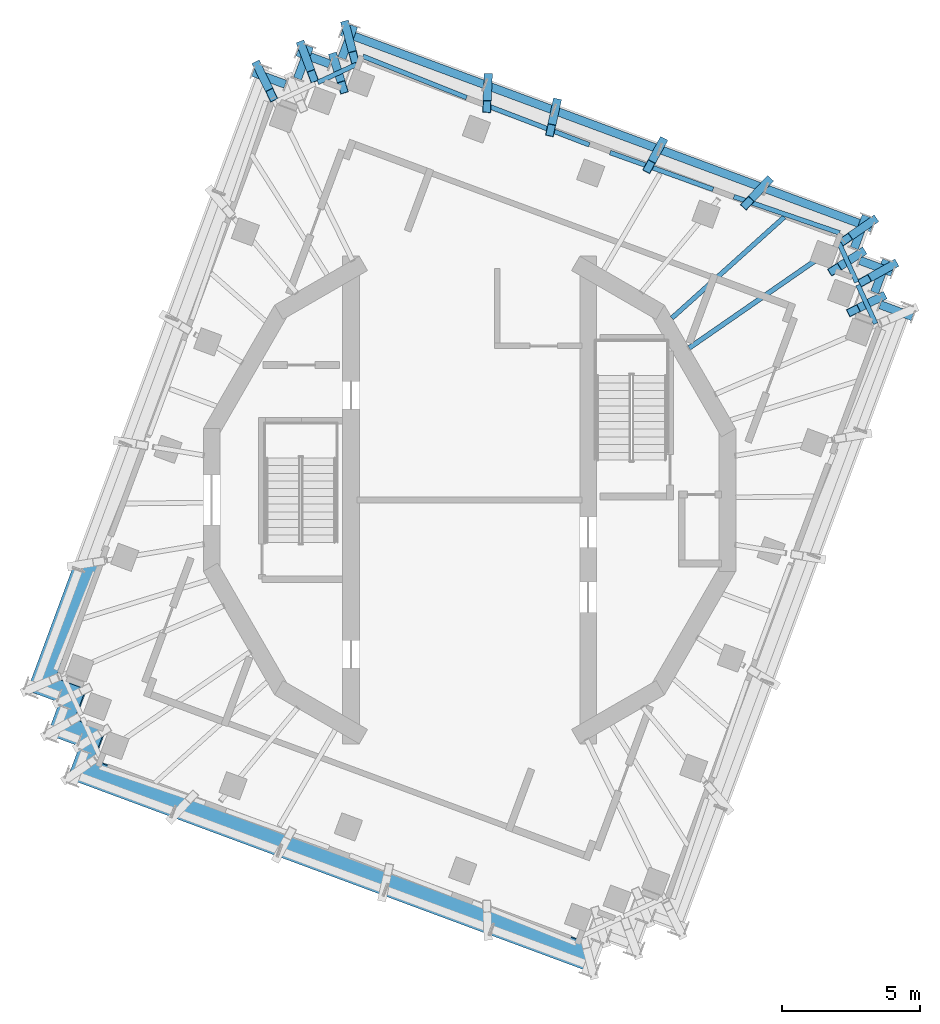
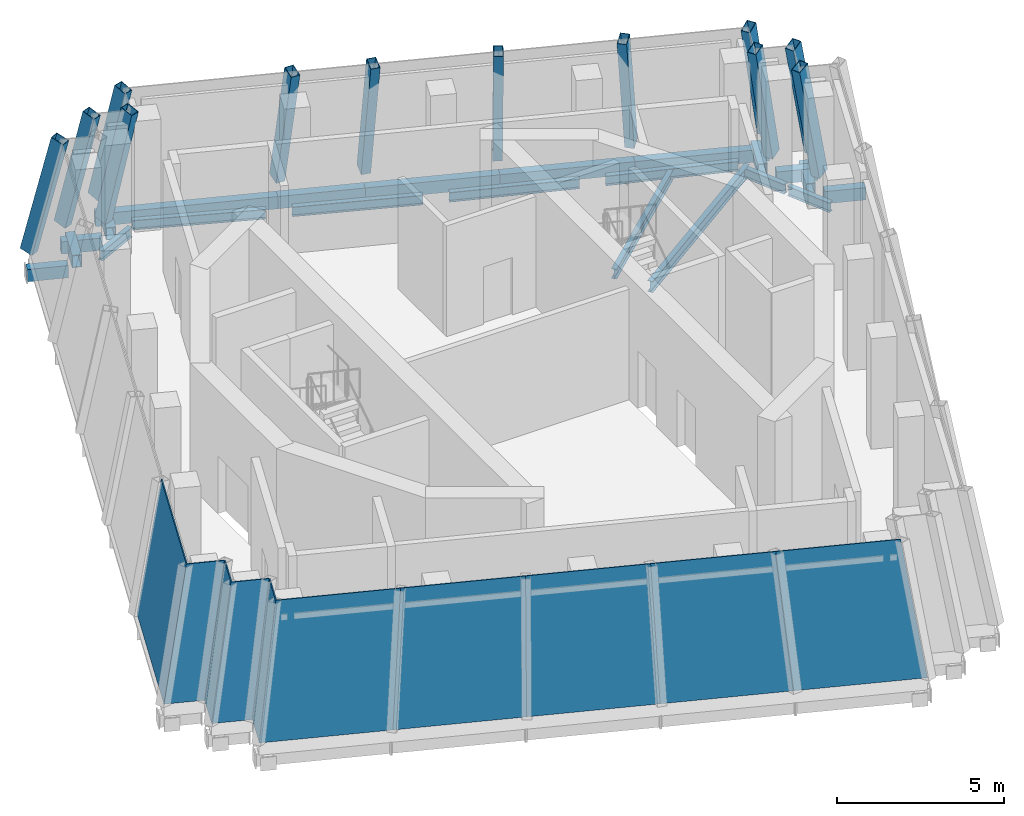
# One storey, part 3 of 12: 25 members, 10 plates, 9 beams, 24 elements without a shape of their own.
"""IFC4 building model written with IfcOpenShell, lengths in metres."""

from ifc_helpers import new_model, si_unit, direction, frame, origin, origin_2d, place, context, subcontext, project, spatial, polyline, hollow_rectangle, i_section, outline, extrude, material, layer, layer_set, material_profile, profile_set, type_object, element, aggregate, save


model = new_model("IFC4")

# Units and contexts
model_context = context("Model", 3, precision=1e-05, world=origin(), true_north=direction((0.0, 1.0)))
body_context = subcontext(model_context, "Body", "Model", "MODEL_VIEW")
ifc_project = project(units=[si_unit("LENGTHUNIT", "METRE"), si_unit("AREAUNIT", "SQUARE_METRE"), si_unit("VOLUMEUNIT", "CUBIC_METRE"), si_unit("PLANEANGLEUNIT", "RADIAN"), si_unit("MASSUNIT", "GRAM", prefix="KILO")], contexts=[model_context])

# Site, building, storey
site_placement = place(None, origin())
site = spatial("IfcSite", under=ifc_project, at=site_placement, CompositionType="ELEMENT")
building_placement = place(site_placement, origin())
building = spatial("IfcBuilding", under=site, at=building_placement, Name="Cantera Rosa Tower", CompositionType="ELEMENT")
storey_placement = place(building_placement, frame((0.0, 0.0, 360.699951171875)))
storey = spatial("IfcBuildingStorey", under=building, at=storey_placement, Name="L81", CompositionType="ELEMENT", Elevation=360.699951171875)

# Curtain wall, member
ifc_material_1 = material(Name="Aluminium frame with clear glass", Category="aluminium")
curtain_wall_type = type_object("IfcCurtainWallType", Name="CW4 CROWN GLAZING", PredefinedType="NOTDEFINED", material=ifc_material_1)
curtain_wall_1_placement = place(storey_placement, origin())
curtain_wall_1 = element("IfcCurtainWall", 1, at=curtain_wall_1_placement, inside=storey, type_object=curtain_wall_type, Name="CW4 L81-01", PredefinedType="NOTDEFINED")
ifc_material_2 = material(Name="Steel S355J2 (EN 10025-2)", Category="steel")
ifc_material_profile_1 = material_profile(ifc_material_2, hollow_rectangle(XDim=0.300048828125, YDim=0.449951171875, WallThickness=0.01611328125, at=origin_2d()), Name="CROWN FRAME MULLION RHS 300x450x16")
ifc_profile_set_1 = profile_set([ifc_material_profile_1], Name="Steel S355J2 (EN 10025-2)")
member_type_1 = type_object("IfcMemberType", Name="CROWN FRAME MULLION RHS 300x450x16", PredefinedType="MULLION", material=ifc_profile_set_1)
member_1_placement = place(storey_placement, frame((14.58642578125, 10.099853515625, 0.0), z_axis=(-0.202691806928, -0.140333186171, 0.969134989701), x_axis=(0.569232159269, -0.822176835513, 0.0)))
member_1 = element("IfcMember", 2, at=member_1_placement, type_object=member_type_1, Name="CROWN FRAME rib L81-01", PredefinedType="MULLION", context=body_context, shape_type="SweptSolid", body=[
    extrude(hollow_rectangle(XDim=0.300048828125, YDim=0.449951171875, WallThickness=0.01611328125, at=origin_2d()), origin(), (0.0, 0.0, 1.0), 4.643310546875),
])

curtain_wall_2_placement = place(storey_placement, origin())
curtain_wall_2 = element("IfcCurtainWall", 3, at=curtain_wall_2_placement, inside=storey, type_object=curtain_wall_type, Name="CW4 L81-02", PredefinedType="NOTDEFINED")
member_2_placement = place(storey_placement, frame((10.772705078125, 11.51318359375, 0.0), z_axis=(-0.150657300522, -0.161029211622, 0.975382986731), x_axis=(0.730232793213, -0.683198410212, 0.0)))
member_2 = element("IfcMember", 4, at=member_2_placement, type_object=member_type_1, Name="CROWN FRAME rib L81-02", PredefinedType="MULLION", context=body_context, shape_type="SweptSolid", body=[
    extrude(hollow_rectangle(XDim=0.300048828125, YDim=0.449951171875, WallThickness=0.01611328125, at=origin_2d()), origin(), (0.0, 0.0, 1.0), 4.613525390625),
])

curtain_wall_3_placement = place(storey_placement, origin())
curtain_wall_3 = element("IfcCurtainWall", 5, at=curtain_wall_3_placement, inside=storey, type_object=curtain_wall_type, Name="CW4 L81-03", PredefinedType="NOTDEFINED")
member_3_placement = place(storey_placement, frame((6.958984375, 12.926513671875, 0.0), z_axis=(-0.097632922217, -0.181356205706, 0.978559011584), x_axis=(0.880512480257, -0.474022965806, 0.0)))
member_3 = element("IfcMember", 6, at=member_3_placement, type_object=member_type_1, Name="CROWN FRAME rib L81-03", PredefinedType="MULLION", context=body_context, shape_type="SweptSolid", body=[
    extrude(hollow_rectangle(XDim=0.300048828125, YDim=0.449951171875, WallThickness=0.01611328125, at=origin_2d()), origin(), (0.0, 0.0, 1.0), 4.5986328125),
])

curtain_wall_4_placement = place(storey_placement, origin())
curtain_wall_4 = element("IfcCurtainWall", 7, at=curtain_wall_4_placement, inside=storey, type_object=curtain_wall_type, Name="CW4 L81-04", PredefinedType="NOTDEFINED")
member_4_placement = place(storey_placement, frame((3.145263671875, 14.339599609375, 0.0), z_axis=(-0.044171205437, -0.201159492068, 0.978562089681), x_axis=(0.976729857256, -0.214473275597, 0.0)))
member_4 = element("IfcMember", 8, at=member_4_placement, type_object=member_type_1, Name="CROWN FRAME rib L81-04", PredefinedType="MULLION", context=body_context, shape_type="SweptSolid", body=[
    extrude(hollow_rectangle(XDim=0.300048828125, YDim=0.449951171875, WallThickness=0.01611328125, at=origin_2d()), origin(), (0.0, 0.0, 1.0), 4.5986328125),
])

curtain_wall_5_placement = place(storey_placement, origin())
curtain_wall_5 = element("IfcCurtainWall", 9, at=curtain_wall_5_placement, inside=storey, type_object=curtain_wall_type, Name="CW4 L81-05", PredefinedType="NOTDEFINED")
member_5_placement = place(storey_placement, frame((0.672119140625, 15.256103515625, 0.0), z_axis=(-0.009433619005, -0.213687369813, 0.976856547716), x_axis=(0.999026950985, -0.044103868372, 0.0)))
member_5 = element("IfcMember", 10, at=member_5_placement, type_object=member_type_1, Name="CROWN FRAME rib L81-05", PredefinedType="MULLION", context=body_context, shape_type="SweptSolid", body=[
    extrude(hollow_rectangle(XDim=0.300048828125, YDim=0.449951171875, WallThickness=0.01611328125, at=origin_2d()), origin(), (0.0, 0.0, 1.0), 4.606689453125),
])

curtain_wall_6_placement = place(storey_placement, origin())
curtain_wall_6 = element("IfcCurtainWall", 11, at=curtain_wall_6_placement, inside=storey, type_object=curtain_wall_type, Name="CW4 L81-06", PredefinedType="NOTDEFINED")
member_6_placement = place(storey_placement, frame((-4.482421875, 17.166259765625, 0.0), z_axis=(0.062306478041, -0.238499733664, 0.96914177489), x_axis=(0.967528872957, 0.252760519059, 0.0)))
member_6 = element("IfcMember", 12, at=member_6_placement, type_object=member_type_1, Name="CROWN FRAME rib L81-06", PredefinedType="MULLION", context=body_context, shape_type="SweptSolid", body=[
    extrude(hollow_rectangle(XDim=0.300048828125, YDim=0.449951171875, WallThickness=0.01611328125, at=origin_2d()), origin(), (0.0, 0.0, 1.0), 4.643310546875),
])

curtain_wall_7_placement = place(storey_placement, origin())
curtain_wall_7 = element("IfcCurtainWall", 13, at=curtain_wall_7_placement, inside=storey, type_object=curtain_wall_type, Name="CW4 L81-07", PredefinedType="NOTDEFINED")
member_7_placement = place(storey_placement, frame((-4.913330078125, 16.00341796875, 0.0), z_axis=(0.068528972044, -0.223101634159, 0.972383381607), x_axis=(0.955920630537, 0.293625183038, 0.0)))
member_7 = element("IfcMember", 14, at=member_7_placement, type_object=member_type_1, Name="CROWN FRAME rib L81-07", PredefinedType="MULLION", context=body_context, shape_type="SweptSolid", body=[
    extrude(hollow_rectangle(XDim=0.300048828125, YDim=0.449951171875, WallThickness=0.01611328125, at=origin_2d()), origin(), (0.0, 0.0, 1.0), 4.627685546875),
])

curtain_wall_8_placement = place(storey_placement, origin())
curtain_wall_8 = element("IfcCurtainWall", 15, at=curtain_wall_8_placement, inside=storey, type_object=curtain_wall_type, Name="CW4 L81-08", PredefinedType="NOTDEFINED")
member_8_placement = place(storey_placement, frame((-6.075927734375, 16.434326171875, 0.0), z_axis=(0.084453064974, -0.228523153383, 0.969868469528), x_axis=(0.937996025489, 0.34664600988, 0.0)))
member_8 = element("IfcMember", 16, at=member_8_placement, type_object=member_type_1, Name="CROWN FRAME rib L81-08", PredefinedType="MULLION", context=body_context, shape_type="SweptSolid", body=[
    extrude(hollow_rectangle(XDim=0.300048828125, YDim=0.449951171875, WallThickness=0.01611328125, at=origin_2d()), origin(), (0.0, 0.0, 1.0), 4.639892578125),
])

curtain_wall_9_placement = place(storey_placement, origin())
curtain_wall_9 = element("IfcCurtainWall", 17, at=curtain_wall_9_placement, inside=storey, type_object=curtain_wall_type, Name="CW4 L81-10", PredefinedType="NOTDEFINED")
member_9_placement = place(storey_placement, frame((-7.669677734375, 15.702392578125, 0.0), z_axis=(0.106675116343, -0.218349806467, 0.970022567557), x_axis=(0.898503957326, 0.438965418535, 0.0)))
member_9 = element("IfcMember", 18, at=member_9_placement, type_object=member_type_1, Name="CROWN FRAME rib L81-10", PredefinedType="MULLION", context=body_context, shape_type="SweptSolid", body=[
    extrude(hollow_rectangle(XDim=0.300048828125, YDim=0.449951171875, WallThickness=0.01611328125, at=origin_2d()), origin(), (0.0, 0.0, 1.0), 4.63916015625),
])
aggregate(curtain_wall_9, [member_9])

curtain_wall_10_placement = place(storey_placement, origin())
curtain_wall_10 = element("IfcCurtainWall", 19, at=curtain_wall_10_placement, inside=storey, type_object=curtain_wall_type, Name="CW4 L81-34", PredefinedType="NOTDEFINED")
member_10_placement = place(storey_placement, frame((14.887451171875, 7.343505859375, 0.0), z_axis=(-0.207633650864, -0.102444564394, 0.972827517217), x_axis=(0.442465792491, -0.896785382617, 0.0)))
member_10 = element("IfcMember", 20, at=member_10_placement, type_object=member_type_1, Name="CROWN FRAME rib L81-34", PredefinedType="MULLION", context=body_context, shape_type="SweptSolid", body=[
    extrude(hollow_rectangle(XDim=0.300048828125, YDim=0.449951171875, WallThickness=0.01611328125, at=origin_2d()), origin(), (0.0, 0.0, 1.0), 4.625732421875),
])

curtain_wall_11_placement = place(storey_placement, origin())
curtain_wall_11 = element("IfcCurtainWall", 21, at=curtain_wall_11_placement, inside=storey, type_object=curtain_wall_type, Name="CW4 L81-35", PredefinedType="NOTDEFINED")
member_11_placement = place(storey_placement, frame((15.318359375, 8.50634765625, 0.0), z_axis=(-0.212999998171, -0.118286560249, 0.96986560432), x_axis=(0.485496229045, -0.874238761199, 0.0)))
member_11 = element("IfcMember", 22, at=member_11_placement, type_object=member_type_1, Name="CROWN FRAME rib L81-35", PredefinedType="MULLION", context=body_context, shape_type="SweptSolid", body=[
    extrude(hollow_rectangle(XDim=0.300048828125, YDim=0.449951171875, WallThickness=0.01611328125, at=origin_2d()), origin(), (0.0, 0.0, 1.0), 4.639892578125),
])

curtain_wall_12_placement = place(storey_placement, origin())
curtain_wall_12 = element("IfcCurtainWall", 23, at=curtain_wall_12_placement, inside=storey, type_object=curtain_wall_type, Name="CW4 L81-36", PredefinedType="NOTDEFINED")
member_12_placement = place(storey_placement, frame((14.155517578125, 8.93701171875, 0.0), z_axis=(-0.197357778973, -0.124555390579, 0.972386683247), x_axis=(0.53371229753, -0.845666118196, 0.0)))
member_12 = element("IfcMember", 24, at=member_12_placement, type_object=member_type_1, Name="CROWN FRAME rib L81-36", PredefinedType="MULLION", context=body_context, shape_type="SweptSolid", body=[
    extrude(hollow_rectangle(XDim=0.300048828125, YDim=0.449951171875, WallThickness=0.01611328125, at=origin_2d()), origin(), (0.0, 0.0, 1.0), 4.627685546875),
])

# Member
ifc_material_3 = material(Name="Steel S355J2 (EN 10025-2)", Category="steel")
ifc_material_profile_2 = material_profile(ifc_material_3, hollow_rectangle(XDim=0.300048828125, YDim=0.449951171875, WallThickness=0.01611328125, at=origin_2d()), Name="CROWN FRAME PURLIN RHS 300x450x16")
ifc_profile_set_2 = profile_set([ifc_material_profile_2], Name="Steel S355J2 (EN 10025-2)")
member_type_2 = type_object("IfcMemberType", Name="CROWN FRAME PURLIN RHS 300x450x16", PredefinedType="PURLIN", material=ifc_profile_set_2)
member_13_placement = place(storey_placement, frame((14.593505859375, 9.865966796875, -0.675048828125), z_axis=(-0.937681980064, 0.347494610408, 0.0), x_axis=(-0.347494610408, -0.937681980064, 0.0)))
member_13 = element("IfcMember", 25, at=member_13_placement, type_object=member_type_2, Name="CROWN FRAME purlin L81-01", PredefinedType="PURLIN", context=body_context, shape_type="SweptSolid", body=[
    extrude(hollow_rectangle(XDim=0.300048828125, YDim=0.449951171875, WallThickness=0.01611328125, at=origin_2d()), origin(), (0.0, 0.0, 1.0), 4.102294921875),
])

aggregate(curtain_wall_1, [member_1, member_13])

member_14_placement = place(storey_placement, frame((10.746826171875, 11.29150390625, -0.675048828125), z_axis=(-0.937681980064, 0.347494610408, 0.0), x_axis=(-0.347494610408, -0.937681980064, 0.0)))
member_14 = element("IfcMember", 26, at=member_14_placement, type_object=member_type_2, Name="CROWN FRAME purlin L81-02", PredefinedType="PURLIN", context=body_context, shape_type="SweptSolid", body=[
    extrude(hollow_rectangle(XDim=0.300048828125, YDim=0.449951171875, WallThickness=0.01611328125, at=origin_2d()), origin(), (0.0, 0.0, 1.0), 4.102294921875),
])

aggregate(curtain_wall_2, [member_2, member_14])

member_15_placement = place(storey_placement, frame((6.900146484375, 12.717041015625, -0.675048828125), z_axis=(-0.937689165769, 0.347475219834, 0.0), x_axis=(-0.347475219834, -0.937689165769, 0.0)))
member_15 = element("IfcMember", 27, at=member_15_placement, type_object=member_type_2, Name="CROWN FRAME purlin L81-03", PredefinedType="PURLIN", context=body_context, shape_type="SweptSolid", body=[
    extrude(hollow_rectangle(XDim=0.300048828125, YDim=0.449951171875, WallThickness=0.01611328125, at=origin_2d()), origin(), (0.0, 0.0, 1.0), 4.1025390625),
])

aggregate(curtain_wall_3, [member_3, member_15])

member_16_placement = place(storey_placement, frame((3.05322265625, 14.142578125, -0.675048828125), z_axis=(-0.937691179297, 0.347469786123, 0.0), x_axis=(-0.347469786123, -0.937691179297, 0.0)))
member_16 = element("IfcMember", 28, at=member_16_placement, type_object=member_type_2, Name="CROWN FRAME purlin L81-04", PredefinedType="PURLIN", context=body_context, shape_type="SweptSolid", body=[
    extrude(hollow_rectangle(XDim=0.300048828125, YDim=0.449951171875, WallThickness=0.01611328125, at=origin_2d()), origin(), (0.0, 0.0, 1.0), 2.66015625),
])

aggregate(curtain_wall_4, [member_4, member_16])

member_17_placement = place(storey_placement, frame((0.558837890625, 15.06689453125, -0.675048828125), z_axis=(-0.937691913704, 0.347467804228, 0.0), x_axis=(-0.347467804228, -0.937691913704, 0.0)))
member_17 = element("IfcMember", 29, at=member_17_placement, type_object=member_type_2, Name="CROWN FRAME purlin L81-05", PredefinedType="PURLIN", context=body_context, shape_type="SweptSolid", body=[
    extrude(hollow_rectangle(XDim=0.300048828125, YDim=0.449951171875, WallThickness=0.01611328125, at=origin_2d()), origin(), (0.0, 0.0, 1.0), 5.54443359375),
])

aggregate(curtain_wall_5, [member_5, member_17])

member_18_placement = place(storey_placement, frame((-4.19775390625, 17.199462890625, -0.675048828125), z_axis=(-0.347549505044, -0.937661634889, 0.0), x_axis=(0.937661634889, -0.347549505044, 0.0)))
member_18 = element("IfcMember", 30, at=member_18_placement, type_object=member_type_2, Name="CROWN FRAME purlin L81-06", PredefinedType="PURLIN", context=body_context, shape_type="SweptSolid", body=[
    extrude(hollow_rectangle(XDim=0.300048828125, YDim=0.449951171875, WallThickness=0.01611328125, at=origin_2d()), origin(), (0.0, 0.0, 1.0), 1.2509765625),
])

aggregate(curtain_wall_6, [member_6, member_18])

member_19_placement = place(storey_placement, frame((-5.07568359375, 15.821044921875, -0.675048828125), z_axis=(-0.937701661187, 0.347441498108, 0.0), x_axis=(-0.347441498108, -0.937701661187, 0.0)))
member_19 = element("IfcMember", 31, at=member_19_placement, type_object=member_type_2, Name="CROWN FRAME purlin L81-07", PredefinedType="PURLIN", context=body_context, shape_type="SweptSolid", body=[
    extrude(hollow_rectangle(XDim=0.300048828125, YDim=0.449951171875, WallThickness=0.01611328125, at=origin_2d()), origin(), (0.0, 0.0, 1.0), 1.250732421875),
])

aggregate(curtain_wall_7, [member_7, member_19])

member_20_placement = place(storey_placement, frame((-5.805908203125, 16.4599609375, -0.675048828125), z_axis=(-0.3476131098, -0.937638056979, 0.0), x_axis=(0.937638056979, -0.3476131098, 0.0)))
member_20 = element("IfcMember", 32, at=member_20_placement, type_object=member_type_2, Name="CROWN FRAME purlin L81-08", PredefinedType="PURLIN", context=body_context, shape_type="SweptSolid", body=[
    extrude(hollow_rectangle(XDim=0.300048828125, YDim=0.449951171875, WallThickness=0.01611328125, at=origin_2d()), origin(), (0.0, 0.0, 1.0), 1.2509765625),
])

aggregate(curtain_wall_8, [member_8, member_20])

# Curtain wall, member
curtain_wall_13_placement = place(storey_placement, origin())
curtain_wall_13 = element("IfcCurtainWall", 33, at=curtain_wall_13_placement, inside=storey, type_object=curtain_wall_type, Name="CW4 L81-09", PredefinedType="NOTDEFINED")
member_21_placement = place(storey_placement, frame((-6.68408203125, 15.0830078125, -0.675048828125), z_axis=(-0.93772521742, 0.347377916131, 0.0), x_axis=(-0.347377916131, -0.93772521742, 0.0)))
member_21 = element("IfcMember", 34, at=member_21_placement, type_object=member_type_2, Name="CROWN FRAME purlin L81-09", PredefinedType="PURLIN", context=body_context, shape_type="SweptSolid", body=[
    extrude(hollow_rectangle(XDim=0.300048828125, YDim=0.449951171875, WallThickness=0.01611328125, at=origin_2d()), origin(), (0.0, 0.0, 1.0), 1.2509765625),
])
aggregate(curtain_wall_13, [member_21])

curtain_wall_14_placement = place(storey_placement, origin())
curtain_wall_14 = element("IfcCurtainWall", 35, at=curtain_wall_14_placement, inside=storey, type_object=curtain_wall_type, Name="CW4 L81-33", PredefinedType="NOTDEFINED")
member_22_placement = place(storey_placement, frame((16.072021484375, 6.650146484375, -0.675048828125), z_axis=(-0.937661634889, 0.347549505044, 0.0), x_axis=(-0.347549505044, -0.937661634889, 0.0)))
member_22 = element("IfcMember", 36, at=member_22_placement, type_object=member_type_2, Name="CROWN FRAME purlin L81-33", PredefinedType="PURLIN", context=body_context, shape_type="SweptSolid", body=[
    extrude(hollow_rectangle(XDim=0.300048828125, YDim=0.449951171875, WallThickness=0.01611328125, at=origin_2d()), origin(), (0.0, 0.0, 1.0), 1.2509765625),
])
aggregate(curtain_wall_14, [member_22])

# Member
member_23_placement = place(storey_placement, frame((14.695556640625, 7.528564453125, -0.675048828125), z_axis=(0.347377916131, 0.93772521742, 0.0), x_axis=(-0.93772521742, 0.347377916131, 0.0)))
member_23 = element("IfcMember", 37, at=member_23_placement, type_object=member_type_2, Name="CROWN FRAME purlin L81-34", PredefinedType="PURLIN", context=body_context, shape_type="SweptSolid", body=[
    extrude(hollow_rectangle(XDim=0.300048828125, YDim=0.449951171875, WallThickness=0.01611328125, at=origin_2d()), origin(), (0.0, 0.0, 1.0), 1.2509765625),
])

aggregate(curtain_wall_10, [member_10, member_23])

member_24_placement = place(storey_placement, frame((15.332763671875, 8.258056640625, -0.675048828125), z_axis=(-0.937661634889, 0.347549505044, 0.0), x_axis=(-0.347549505044, -0.937661634889, 0.0)))
member_24 = element("IfcMember", 38, at=member_24_placement, type_object=member_type_2, Name="CROWN FRAME purlin L81-35", PredefinedType="PURLIN", context=body_context, shape_type="SweptSolid", body=[
    extrude(hollow_rectangle(XDim=0.300048828125, YDim=0.449951171875, WallThickness=0.01611328125, at=origin_2d()), origin(), (0.0, 0.0, 1.0), 1.2509765625),
])

aggregate(curtain_wall_11, [member_11, member_24])

member_25_placement = place(storey_placement, frame((13.95751953125, 9.137451171875, -0.675048828125), z_axis=(0.347549505044, 0.937661634889, 0.0), x_axis=(-0.937661634889, 0.347549505044, 0.0)))
member_25 = element("IfcMember", 39, at=member_25_placement, type_object=member_type_2, Name="CROWN FRAME purlin L81-36", PredefinedType="PURLIN", context=body_context, shape_type="SweptSolid", body=[
    extrude(hollow_rectangle(XDim=0.300048828125, YDim=0.449951171875, WallThickness=0.01611328125, at=origin_2d()), origin(), (0.0, 0.0, 1.0), 1.2509765625),
])

aggregate(curtain_wall_12, [member_12, member_25])

# Beams
ifc_material_4 = material(Name="Steel ASTM A992 (Fy 345 MPa)", Category="steel")
ifc_material_profile_3 = material_profile(ifc_material_4, i_section(OverallWidth=0.1708984375, OverallDepth=0.35595703125, WebThickness=0.00732421875, FlangeThickness=0.01171875, FilletRadius=0.010009765625, at=origin_2d()), Name="W360X51")
ifc_profile_set_3 = profile_set([ifc_material_profile_3], Name="Steel ASTM A992 (Fy 345 MPa)")
beam_type_1 = type_object("IfcBeamType", Name="STEEL BEAM W360X51", PredefinedType="BEAM", material=ifc_profile_set_3)
beam_1_placement = place(storey_placement, frame((11.420166015625, 10.2666015625, -0.6279296875), z_axis=(-0.743665979718, -0.668551352261, 0.0), x_axis=(0.668551352261, -0.743665979718, 0.0)))
element("IfcBeam", 40, at=beam_1_placement, inside=storey, type_object=beam_type_1, Name="CB-Z6-01 L81", PredefinedType="BEAM", context=body_context, shape_type="SweptSolid", body=[
    extrude(i_section(OverallWidth=0.1708984375, OverallDepth=0.35595703125, WebThickness=0.00732421875, FlangeThickness=0.01171875, FilletRadius=0.010009765625, at=origin_2d()), origin(), (0.0, 0.0, 1.0), 5.483154296875),
])
ifc_material_5 = material(Name="Steel ASTM A992 (Fy 345 MPa)", Category="steel")
ifc_material_profile_4 = material_profile(ifc_material_5, i_section(OverallWidth=0.177978515625, OverallDepth=0.406005859375, WebThickness=0.0078125, FlangeThickness=0.0126953125, FilletRadius=0.01025390625, at=origin_2d()), Name="W410X60")
ifc_profile_set_4 = profile_set([ifc_material_profile_4], Name="Steel ASTM A992 (Fy 345 MPa)")
beam_type_2 = type_object("IfcBeamType", Name="STEEL BEAM W410X60", PredefinedType="BEAM", material=ifc_profile_set_4)
beam_2_placement = place(storey_placement, frame((13.558837890625, 9.38818359375, -0.65283203125), z_axis=(-0.822161169538, -0.56925478593, 0.0), x_axis=(0.56925478593, -0.822161169538, 0.0)))
element("IfcBeam", 41, at=beam_2_placement, inside=storey, type_object=beam_type_2, Name="CG-Z6-01 L81", PredefinedType="BEAM", context=body_context, shape_type="SweptSolid", body=[
    extrude(i_section(OverallWidth=0.177978515625, OverallDepth=0.406005859375, WebThickness=0.0078125, FlangeThickness=0.0126953125, FilletRadius=0.01025390625, at=origin_2d()), origin(), (0.0, 0.0, 1.0), 6.7998046875),
])
ifc_material_6 = material(Name="Steel ASTM A992 (Fy 345 MPa)", Category="steel")
ifc_material_profile_5 = material_profile(ifc_material_6, i_section(OverallWidth=0.1708984375, OverallDepth=0.35595703125, WebThickness=0.00732421875, FlangeThickness=0.01171875, FilletRadius=0.010009765625, at=origin_2d()), Name="W360X51")
ifc_profile_set_5 = profile_set([ifc_material_profile_5], Name="Steel ASTM A992 (Fy 345 MPa)")
beam_type_3 = type_object("IfcBeamType", Name="STEEL SPANDREL BEAM W360X51", PredefinedType="SPANDREL", material=ifc_profile_set_5)
beam_3_placement = place(storey_placement, frame((13.427001953125, 9.68896484375, -0.6279296875), z_axis=(-0.945883116391, 0.324507519368, 0.0), x_axis=(-0.324507519368, -0.945883116391, 0.0)))
element("IfcBeam", 42, at=beam_3_placement, inside=storey, type_object=beam_type_3, Name="CEB-Z6-01 L81", PredefinedType="SPANDREL", context=body_context, shape_type="SweptSolid", body=[
    extrude(i_section(OverallWidth=0.1708984375, OverallDepth=0.35595703125, WebThickness=0.00732421875, FlangeThickness=0.01171875, FilletRadius=0.010009765625, at=origin_2d()), origin(), (0.0, 0.0, 1.0), 4.054443359375),
])
for number, where, z_axis, x_axis, name in (
    (43, (8.8369140625, 11.269287109375, -0.6279296875), (-0.941499612071, 0.337014065685, 0.0), (-0.337014065685, -0.941499612071, 0.0), "CEB-Z6-02 L81"),
    (44, (4.348388671875, 12.885498046875, -0.6279296875), (-0.933752282315, 0.357919928576, 0.0), (-0.357919928576, -0.933752282315, 0.0), "CEB-Z6-03 L81"),
):
    element("IfcBeam", number, at=place(storey_placement, frame(where, z_axis=z_axis, x_axis=x_axis)), inside=storey, type_object=beam_type_3, Name=name, PredefinedType="SPANDREL", context=body_context, shape_type="SweptSolid", body=[
        extrude(i_section(OverallWidth=0.1708984375, OverallDepth=0.35595703125, WebThickness=0.00732421875, FlangeThickness=0.01171875, FilletRadius=0.010009765625, at=origin_2d()), origin(), (0.0, 0.0, 1.0), 3.970458984375),
    ])
beam_4_placement = place(storey_placement, frame((-0.1044921875, 14.597900390625, -0.6279296875), z_axis=(-0.928941103957, 0.370227531903, 0.0), x_axis=(-0.370227531903, -0.928941103957, 0.0)))
element("IfcBeam", 45, at=beam_4_placement, inside=storey, type_object=beam_type_3, Name="CEB-Z6-04 L81", PredefinedType="SPANDREL", context=body_context, shape_type="SweptSolid", body=[
    extrude(i_section(OverallWidth=0.1708984375, OverallDepth=0.35595703125, WebThickness=0.00732421875, FlangeThickness=0.01171875, FilletRadius=0.010009765625, at=origin_2d()), origin(), (0.0, 0.0, 1.0), 4.05419921875),
])
beam_5_placement = place(storey_placement, frame((-4.10009765625, 15.8056640625, -0.6279296875), z_axis=(-0.90578418035, -0.423739328629, 0.0), x_axis=(0.423739328629, -0.90578418035, 0.0)))
element("IfcBeam", 46, at=beam_5_placement, inside=storey, type_object=beam_type_3, Name="CEB-Z6-05 L81", PredefinedType="SPANDREL", context=body_context, shape_type="SweptSolid", body=[
    extrude(i_section(OverallWidth=0.1708984375, OverallDepth=0.35595703125, WebThickness=0.00732421875, FlangeThickness=0.01171875, FilletRadius=0.010009765625, at=origin_2d()), origin(), (0.0, 0.0, 1.0), 1.54931640625),
])
beam_6_placement = place(storey_placement, frame((14.736328125, 6.395751953125, -0.6279296875), z_axis=(-0.416013364264, 0.909358499578, 0.0), x_axis=(-0.909358499578, -0.416013364264, 0.0)))
element("IfcBeam", 47, at=beam_6_placement, inside=storey, type_object=beam_type_3, Name="CEB-Z6-25 L81", PredefinedType="SPANDREL", context=body_context, shape_type="SweptSolid", body=[
    extrude(i_section(OverallWidth=0.1708984375, OverallDepth=0.35595703125, WebThickness=0.00732421875, FlangeThickness=0.01171875, FilletRadius=0.010009765625, at=origin_2d()), origin(), (0.0, 0.0, 1.0), 1.546875),
])
beam_7_placement = place(storey_placement, frame((14.046630859375, 7.904541015625, -0.6279296875), z_axis=(-0.410987067013, 0.911641174338, 0.0), x_axis=(-0.911641174338, -0.410987067013, 0.0)))
element("IfcBeam", 48, at=beam_7_placement, inside=storey, type_object=beam_type_3, Name="CEB-Z6-26 L81", PredefinedType="SPANDREL", context=body_context, shape_type="SweptSolid", body=[
    extrude(i_section(OverallWidth=0.1708984375, OverallDepth=0.35595703125, WebThickness=0.00732421875, FlangeThickness=0.01171875, FilletRadius=0.010009765625, at=origin_2d()), origin(), (0.0, 0.0, 1.0), 1.54931640625),
])

# Curtain wall, plate
curtain_wall_15_placement = place(storey_placement, origin())
curtain_wall_15 = element("IfcCurtainWall", 49, at=curtain_wall_15_placement, inside=storey, type_object=curtain_wall_type, Name="CW4 L81-14", PredefinedType="NOTDEFINED")
ifc_material_7 = material(Name="Aluminium frame with clear glass", Category="aluminium")
ifc_layer = layer(ifc_material_7, 0.0400390625)
ifc_layer_set = layer_set([ifc_layer], Name="CW-PANEL CROWN 40")
plate_type = type_object("IfcPlateType", Name="CW-PANEL CROWN 40", PredefinedType="CURTAIN_PANEL", material=ifc_layer_set)
plate_1_placement = place(storey_placement, frame((-14.3740234375, -2.3896484375, 0.0), z_axis=(-0.92265017875, 0.341892877961, 0.17839817166), x_axis=(-0.347466940736, -0.937692233675, -7.76726e-07)))
plate_1 = element("IfcPlate", 50, at=plate_1_placement, type_object=plate_type, Name="CROWN GLAZING L81-14", PredefinedType="CURTAIN_PANEL", context=body_context, shape_type="SweptSolid", body=[
    extrude(outline(polyline([(0.0, 0.0), (4.823497770805941, 0.0), (4.045474010259164, 4.573367366483966), (-0.46687384013954547, 4.57335999686901), (0.0, 0.0)])), origin(), (0.0, 0.0, -1.0), 0.0400390625),
])
aggregate(curtain_wall_15, [plate_1])

curtain_wall_16_placement = place(storey_placement, origin())
curtain_wall_16 = element("IfcCurtainWall", 51, at=curtain_wall_16_placement, inside=storey, type_object=curtain_wall_type, Name="CW4 L81-15", PredefinedType="NOTDEFINED")
plate_2_placement = place(storey_placement, frame((-16.050048828125, -6.91259765625, 0.0), z_axis=(-0.342438434957, -0.923962252633, 0.170380967168), x_axis=(0.93767244854, -0.347520329243, -3.406856e-06)))
plate_2 = element("IfcPlate", 52, at=plate_2_placement, type_object=plate_type, Name="CROWN GLAZING L81-15", PredefinedType="CURTAIN_PANEL", context=body_context, shape_type="SweptSolid", body=[
    extrude(outline(polyline([(0.0, 0.0), (1.2398851516264557, 0.0), (1.9757747166480295, 4.5667809905860635), (0.8158414105380581, 4.566772693431708), (0.0, 0.0)])), origin(), (0.0, 0.0, -1.0), 0.0400390625),
])
aggregate(curtain_wall_16, [plate_2])

curtain_wall_17_placement = place(storey_placement, origin())
curtain_wall_17 = element("IfcCurtainWall", 53, at=curtain_wall_17_placement, inside=storey, type_object=curtain_wall_type, Name="CW4 L81-16", PredefinedType="NOTDEFINED")
plate_3_placement = place(storey_placement, frame((-14.887451171875, -7.343505859375, 0.0), z_axis=(-0.92540184814, 0.342897571672, 0.161408409942), x_axis=(-0.347454038611, -0.93769701452, -3.594803e-06)))
plate_3 = element("IfcPlate", 54, at=plate_3_placement, type_object=plate_type, Name="CROWN GLAZING L81-16", PredefinedType="CURTAIN_PANEL", context=body_context, shape_type="SweptSolid", body=[
    extrude(outline(polyline([(0.0, 0.0), (1.2401140767353125, 0.0), (0.3820810942305439, 4.559790734240305), (-0.7780811407422352, 4.559781991077968), (0.0, 0.0)])), origin(), (0.0, 0.0, -1.0), 0.0400390625),
])
aggregate(curtain_wall_17, [plate_3])

curtain_wall_18_placement = place(storey_placement, origin())
curtain_wall_18 = element("IfcCurtainWall", 55, at=curtain_wall_18_placement, inside=storey, type_object=curtain_wall_type, Name="CW4 L81-17", PredefinedType="NOTDEFINED")
plate_4_placement = place(storey_placement, frame((-15.318359375, -8.50634765625, 0.0), z_axis=(-0.341219053222, -0.921141567102, 0.187263907561), x_axis=(0.937731166642, -0.347361855933, 1.2263616e-05)))
plate_4 = element("IfcPlate", 56, at=plate_4_placement, type_object=plate_type, Name="CROWN GLAZING L81-17", PredefinedType="CURTAIN_PANEL", context=body_context, shape_type="SweptSolid", body=[
    extrude(outline(polyline([(0.0, 0.0), (1.2400292628377025, 0.0), (1.8963175918244304, 4.58101657684383), (0.7361553597190577, 4.5810465419655815), (0.0, 0.0)])), origin(), (0.0, 0.0, -1.0), 0.0400390625),
])
aggregate(curtain_wall_18, [plate_4])

curtain_wall_19_placement = place(storey_placement, origin())
curtain_wall_19 = element("IfcCurtainWall", 57, at=curtain_wall_19_placement, inside=storey, type_object=curtain_wall_type, Name="CW4 L81-18", PredefinedType="NOTDEFINED")
plate_5_placement = place(storey_placement, frame((-14.155517578125, -8.93701171875, 0.0), z_axis=(-0.927874495005, 0.343851082115, 0.14427527455), x_axis=(-0.34748637977, -0.937685030205, 1.824079e-06)))
plate_5 = element("IfcPlate", 58, at=plate_5_placement, type_object=plate_type, Name="CROWN GLAZING L81-18", PredefinedType="CURTAIN_PANEL", context=body_context, shape_type="SweptSolid", body=[
    extrude(outline(polyline([(0.0, 0.0), (1.2401140769437582, 0.0), (0.3020750832391269, 4.5475780680608215), (-0.8578582230510681, 4.547582492223165), (0.0, 0.0)])), origin(), (0.0, 0.0, -1.0), 0.0400390625),
])
aggregate(curtain_wall_19, [plate_5])

curtain_wall_20_placement = place(storey_placement, origin())
curtain_wall_20 = element("IfcCurtainWall", 59, at=curtain_wall_20_placement, inside=storey, type_object=curtain_wall_type, Name="CW4 L81-19", PredefinedType="NOTDEFINED")
plate_6_placement = place(storey_placement, frame((-14.58642578125, -10.099853515625, 0.0), z_axis=(-0.34017104991, -0.917951760352, 0.204078961361), x_axis=(0.937685706703, -0.347484554244, -2.581984e-06)))
plate_6 = element("IfcPlate", 60, at=plate_6_placement, type_object=plate_type, Name="CROWN GLAZING L81-19", PredefinedType="CURTAIN_PANEL", context=body_context, shape_type="SweptSolid", body=[
    extrude(outline(polyline([(0.0, 0.0), (4.067181764874689, 0.0), (4.460772613821797, 4.596752796866526), (0.6560777668289258, 4.596732034857907), (0.0, 0.0)])), origin(), (0.0, 0.0, -1.0), 0.0400390625),
])
aggregate(curtain_wall_20, [plate_6])

curtain_wall_21_placement = place(storey_placement, origin())
curtain_wall_21 = element("IfcCurtainWall", 61, at=curtain_wall_21_placement, inside=storey, type_object=curtain_wall_type, Name="CW4 L81-20", PredefinedType="NOTDEFINED")
plate_7_placement = place(storey_placement, frame((-10.772705078125, -11.51318359375, 0.0), z_axis=(-0.340197770796, -0.917941936836, 0.204078605794), x_axis=(0.937676021887, -0.347510687559, 3.227998e-06)))
plate_7 = element("IfcPlate", 62, at=plate_7_placement, type_object=plate_type, Name="CROWN GLAZING L81-20", PredefinedType="CURTAIN_PANEL", context=body_context, shape_type="SweptSolid", body=[
    extrude(outline(polyline([(0.0, 0.0), (4.067181764691421, 5.551115123125783e-17), (4.198370532758749, 4.596726839894003), (0.39359084729623756, 4.596752796845725), (0.0, 0.0)])), origin(), (0.0, 0.0, -1.0), 0.0400390625),
])
aggregate(curtain_wall_21, [plate_7])

curtain_wall_22_placement = place(storey_placement, origin())
curtain_wall_22 = element("IfcCurtainWall", 63, at=curtain_wall_22_placement, inside=storey, type_object=curtain_wall_type, Name="CW4 L81-21", PredefinedType="NOTDEFINED")
plate_8_placement = place(storey_placement, frame((-6.958984375, -12.926513671875, 0.0), z_axis=(-0.34013583195, -0.917969015354, 0.204060046733), x_axis=(0.937699793699, -0.347446538186, 7.00296e-07)))
plate_8 = element("IfcPlate", 64, at=plate_8_placement, type_object=plate_type, Name="CROWN GLAZING L81-21", PredefinedType="CURTAIN_PANEL", context=body_context, shape_type="SweptSolid", body=[
    extrude(outline(polyline([(0.0, 0.0), (4.067096933687429, 5.551115123125783e-17), (3.936165342631296, 4.596719701951504), (0.13124156592572633, 4.5967253331895), (0.0, 0.0)])), origin(), (0.0, 0.0, -1.0), 0.0400390625),
])
aggregate(curtain_wall_22, [plate_8])

curtain_wall_23_placement = place(storey_placement, origin())
curtain_wall_23 = element("IfcCurtainWall", 65, at=curtain_wall_23_placement, inside=storey, type_object=curtain_wall_type, Name="CW4 L81-22", PredefinedType="NOTDEFINED")
plate_9_placement = place(storey_placement, frame((-3.145263671875, -14.339599609375, 0.0), z_axis=(-0.340162625696, -0.917959388426, 0.204058690771), x_axis=(0.937689597275, -0.34747405538, -5.67845e-07)))
plate_9 = element("IfcPlate", 66, at=plate_9_placement, type_object=plate_type, Name="CROWN GLAZING L81-22", PredefinedType="CURTAIN_PANEL", context=body_context, shape_type="SweptSolid", body=[
    extrude(outline(polyline([(0.0, 0.0), (4.067410692192968, 0.0), (3.6737300237894916, 4.596723321466482), (-0.13096482358842798, 4.596718755253009), (0.0, 0.0)])), origin(), (0.0, 0.0, -1.0), 0.0400390625),
])
aggregate(curtain_wall_23, [plate_9])

curtain_wall_24_placement = place(storey_placement, origin())
curtain_wall_24 = element("IfcCurtainWall", 67, at=curtain_wall_24_placement, inside=storey, type_object=curtain_wall_type, Name="CW4 L81-23", PredefinedType="NOTDEFINED")
plate_10_placement = place(storey_placement, frame((0.668701171875, -15.7529296875, 0.0), z_axis=(-0.340200268237, -0.91794867558, 0.204044128785), x_axis=(0.937676021808, -0.347510687773, 3.227476e-06)))
plate_10 = element("IfcPlate", 68, at=plate_10_placement, type_object=plate_type, Name="CROWN GLAZING L81-23", PredefinedType="CURTAIN_PANEL", context=body_context, shape_type="SweptSolid", body=[
    extrude(outline(polyline([(0.0, 0.0), (4.067181764691413, -5.551115123125783e-17), (3.4110794510349334, 4.59669569271386), (-0.39370023442759944, 4.596721645280419), (0.0, 0.0)])), origin(), (0.0, 0.0, -1.0), 0.0400390625),
])
aggregate(curtain_wall_24, [plate_10])

save(model, "model.ifc")
